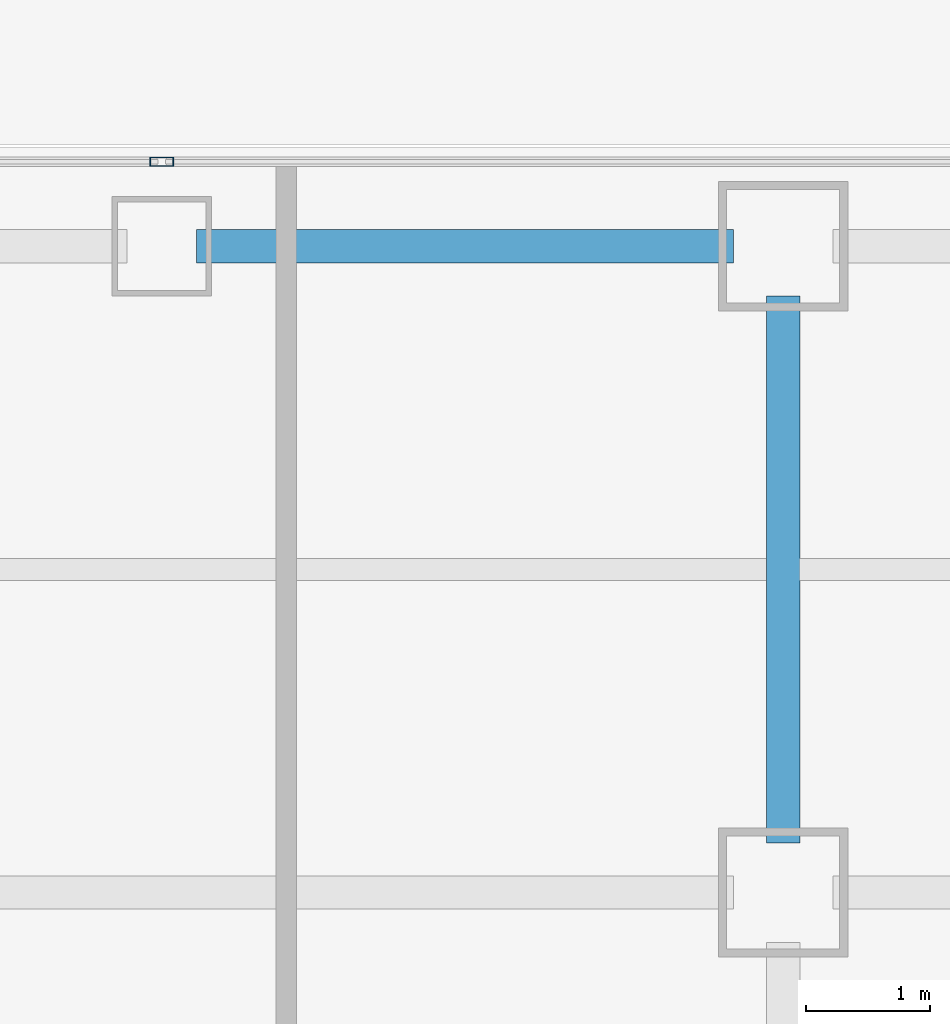
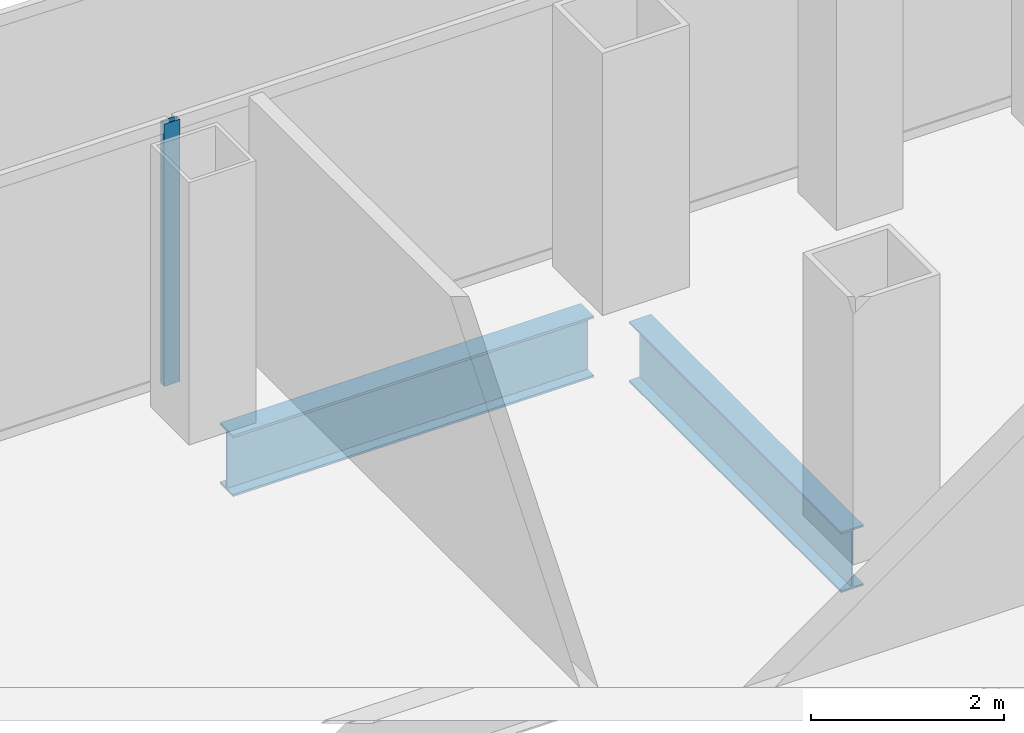
# One storey, part 13 of 21: 2 beams, 1 member, 1 element without a shape of its own.
"""IFC4 building model written with IfcOpenShell, lengths in metres."""

from ifc_helpers import new_model, si_unit, direction, frame, origin, origin_2d, place, context, subcontext, project, spatial, hollow_rectangle, i_section, extrude, source, transform, mapped, material, layer, layer_set, material_profile, profile_set, type_object, element, aggregate, save


model = new_model("IFC4")

# Units and contexts
model_context = context("Model", 3, precision=1e-05, world=origin(), true_north=direction((0.0, 1.0)))
body_context = subcontext(model_context, "Body", "Model", "MODEL_VIEW")
ifc_project = project(units=[si_unit("LENGTHUNIT", "METRE"), si_unit("AREAUNIT", "SQUARE_METRE"), si_unit("VOLUMEUNIT", "CUBIC_METRE"), si_unit("PLANEANGLEUNIT", "RADIAN"), si_unit("MASSUNIT", "GRAM", prefix="KILO")], contexts=[model_context])

# Site, building, storey
site_placement = place(None, origin())
site = spatial("IfcSite", under=ifc_project, at=site_placement, CompositionType="ELEMENT")
building_placement = place(site_placement, origin())
building = spatial("IfcBuilding", under=site, at=building_placement, Name="Kolveth Station Tower", CompositionType="ELEMENT")
storey_placement = place(building_placement, frame((0.0, 0.0, 58.5)))
storey = spatial("IfcBuildingStorey", under=building, at=storey_placement, Name="L15", CompositionType="ELEMENT", Elevation=58.5)

# Beams
ifc_material_1 = material(Name="Steel S355", Category="steel")
ifc_material_profile_1 = material_profile(ifc_material_1, i_section(OverallWidth=0.26904296875, OverallDepth=0.77490234375, WebThickness=0.01708984375, FlangeThickness=0.0283203125, at=origin_2d()), Name="W760x220")
ifc_profile_set_1 = profile_set([ifc_material_profile_1], Name="Steel S355")
beam_type_1 = type_object("IfcBeamType", Name="Beam_SP1", PredefinedType="SPANDREL", material=ifc_profile_set_1)
shared_shape_1 = source(origin(), body_context, "Body", "SweptSolid", [
    extrude(i_section(OverallWidth=0.26904296875, OverallDepth=0.77490234375, WebThickness=0.01708984375, FlangeThickness=0.0283203125, at=origin_2d()), origin(), (0.0, 0.0, 1.0), 4.320068359375),
])
beam_1_placement = place(storey_placement, frame((23.780029296875, 39.699951171875, -0.66748046875), z_axis=(1.0, 0.0, 0.0), x_axis=(0.0, 1.0, 0.0)))
element("IfcBeam", 1, at=beam_1_placement, inside=storey, type_object=beam_type_1, Name="L15 Perimeter Spandrel BM-L15-PN-6", PredefinedType="SPANDREL", context=body_context, shape_type="MappedRepresentation", body=[
    mapped(shared_shape_1, transform((0.0, 0.0, 0.0), x_axis=(1.0, 0.0, 0.0), y_axis=(0.0, 1.0, 0.0), z_axis=(0.0, 0.0, 1.0), scale=1.0)),
])
ifc_material_profile_2 = material_profile(ifc_material_1, i_section(OverallWidth=0.26708984375, OverallDepth=0.76611328125, WebThickness=0.014892578125, FlangeThickness=0.023681640625, at=origin_2d()), Name="W760x185")
ifc_profile_set_2 = profile_set([ifc_material_profile_2], Name="Steel S355")
beam_type_2 = type_object("IfcBeamType", Name="Beam_B3", PredefinedType="BEAM", material=ifc_profile_set_2)
shared_shape_2 = source(origin(), body_context, "Body", "SweptSolid", [
    extrude(i_section(OverallWidth=0.26708984375, OverallDepth=0.76611328125, WebThickness=0.014892578125, FlangeThickness=0.023681640625, at=origin_2d()), origin(), (0.0, 0.0, 1.0), 4.400146484375),
])
beam_2_placement = place(storey_placement, frame((28.5, 34.89990234375, -0.6630859375), z_axis=(0.0, 1.0, 0.0), x_axis=(-1.0, 0.0, 0.0)))
element("IfcBeam", 2, at=beam_2_placement, inside=storey, type_object=beam_type_2, Name="L15 Primary Girder BM-L15-GX285-7", PredefinedType="BEAM", context=body_context, shape_type="MappedRepresentation", body=[
    mapped(shared_shape_2, transform((0.0, 0.0, 0.0), x_axis=(1.0, 0.0, 0.0), y_axis=(0.0, 1.0, 0.0), z_axis=(0.0, 0.0, 1.0), scale=1.0)),
])

# Curtain wall, member
ifc_material_2 = material(Name="Aluminium 6063-T6 and low-E dark glass", Category="aluminium")
ifc_layer = layer(ifc_material_2, 0.179931640625)
ifc_layer_set = layer_set([ifc_layer], Name="Aluminium 6063-T6 and low-E dark glass")
curtain_wall_type = type_object("IfcCurtainWallType", Name="CurtainWall_CW-Z1", PredefinedType="NOTDEFINED", material=ifc_layer_set)
curtain_wall_placement = place(storey_placement, origin())
curtain_wall = element("IfcCurtainWall", 3, at=curtain_wall_placement, inside=storey, type_object=curtain_wall_type, Name="L15 Inner Thermal Curtain Wall 6", PredefinedType="NOTDEFINED")
ifc_material_3 = material(Name="Black anodized aluminium 6063-T6", Category="aluminium")
ifc_material_profile_3 = material_profile(ifc_material_3, hollow_rectangle(XDim=0.074951171875, YDim=0.18994140625, WallThickness=0.0048828125, at=origin_2d()), Name="ALU-75x190x5")
ifc_profile_set_3 = profile_set([ifc_material_profile_3], Name="Black anodized aluminium 6063-T6")
member_type = type_object("IfcMemberType", Name="Mullion_ML1", PredefinedType="MULLION", material=ifc_profile_set_3)
shared_shape_3 = source(origin(), body_context, "Body", "SweptSolid", [
    extrude(hollow_rectangle(XDim=0.074951171875, YDim=0.18994140625, WallThickness=0.0048828125, at=origin_2d()), origin(), (0.0, 0.0, 1.0), 3.320068359375),
])
member_placement = place(storey_placement, frame((23.5, 40.3798828125, 0.0), z_axis=(0.0, 0.0, 1.0), x_axis=(0.0, -1.0, 0.0)))
member = element("IfcMember", 4, at=member_placement, type_object=member_type, Name="CW-Z1 mullion 2", PredefinedType="MULLION", context=body_context, shape_type="MappedRepresentation", body=[
    mapped(shared_shape_3, transform((0.0, 0.0, 0.0), x_axis=(1.0, 0.0, 0.0), y_axis=(0.0, 1.0, 0.0), z_axis=(0.0, 0.0, 1.0), scale=1.0)),
])
aggregate(curtain_wall, [member])

save(model, "model.ifc")
